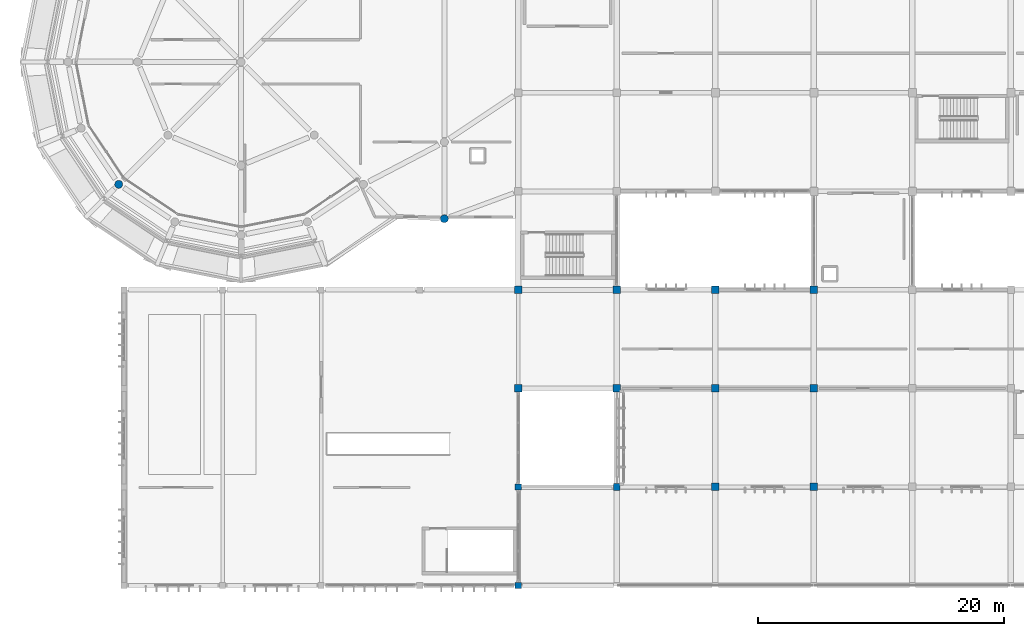
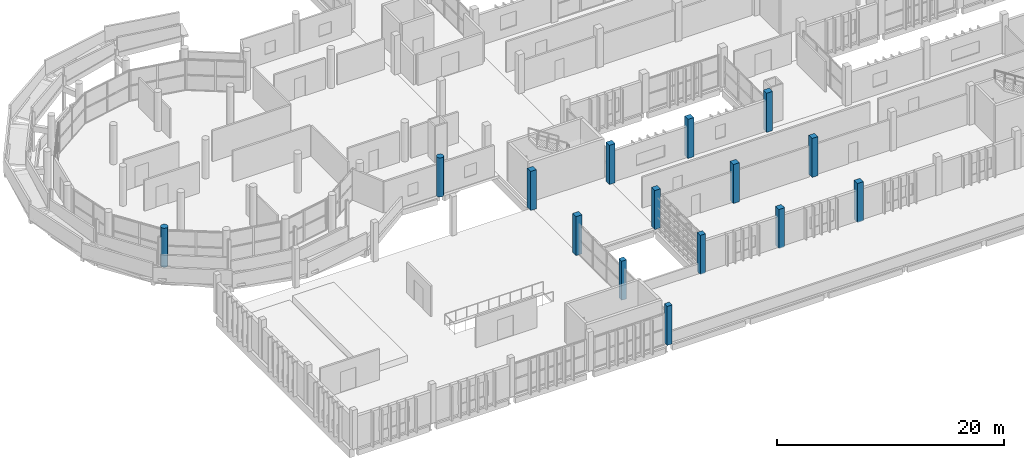
# One storey, part 3 of 137: 15 columns.
"""IFC4 building model written with IfcOpenShell, lengths in metres."""

from ifc_helpers import new_model, si_unit, direction, frame, origin, origin_2d, place, context, subcontext, project, spatial, rectangle, circle, extrude, material, material_profile, profile_set, type_object, element, save


model = new_model("IFC4")

# Units and contexts
model_context = context("Model", 3, precision=1e-05, world=origin(), true_north=direction((0.0, 1.0)))
body_context = subcontext(model_context, "Body", "Model", "MODEL_VIEW")
ifc_project = project(units=[si_unit("LENGTHUNIT", "METRE"), si_unit("AREAUNIT", "SQUARE_METRE"), si_unit("VOLUMEUNIT", "CUBIC_METRE"), si_unit("PLANEANGLEUNIT", "RADIAN"), si_unit("MASSUNIT", "GRAM", prefix="KILO")], contexts=[model_context])

# Site, building, storey
site_placement = place(None, origin())
site = spatial("IfcSite", under=ifc_project, at=site_placement, CompositionType="ELEMENT")
building_placement = place(site_placement, origin())
building = spatial("IfcBuilding", under=site, at=building_placement, Name="Jelvoka-Kovrelna Polytechnic", CompositionType="ELEMENT")
storey_placement = place(building_placement, frame((0.0, 0.0, 9.60009765625)))
storey = spatial("IfcBuildingStorey", under=building, at=storey_placement, Name="L03", CompositionType="ELEMENT", Elevation=9.60009765625)

# Columns
ifc_material_1 = material(Name="Concrete C40/50", Category="concrete")
ifc_material_profile_1 = material_profile(ifc_material_1, rectangle(XDim=0.5, YDim=0.5, at=origin_2d()), Name="RC 500x500")
ifc_profile_set_1 = profile_set([ifc_material_profile_1], Name="Concrete C40/50")
column_type_1 = type_object("IfcColumnType", Name="Col_RC_500", PredefinedType="COLUMN", material=ifc_profile_set_1)
for number, where, z_axis, x_axis, name in (
    (1, (48.0, 0.0, 0.0), (0.0, 0.0, 1.0), (0.0, 1.0, 0.0), "L03 column 0020"),
    (2, (48.0, 8.0, 0.0), (0.0, 0.0, 1.0), (0.0, 1.0, 0.0), "L03 column 0091"),
):
    element("IfcColumn", number, at=place(storey_placement, frame(where, z_axis=z_axis, x_axis=x_axis)), inside=storey, type_object=column_type_1, Name=name, PredefinedType="COLUMN", context=body_context, shape_type="SweptSolid", body=[
        extrude(rectangle(XDim=0.5, YDim=0.5, at=origin_2d()), origin(), (0.0, 0.0, 1.0), 4.199951171875),
    ])
ifc_material_2 = material(Name="Concrete C40/50", Category="concrete")
ifc_material_profile_2 = material_profile(ifc_material_2, rectangle(XDim=0.550048828125, YDim=0.550048828125, at=origin_2d()), Name="RC 550x550")
ifc_profile_set_2 = profile_set([ifc_material_profile_2], Name="Concrete C40/50")
column_type_2 = type_object("IfcColumnType", Name="Col_RC_550", PredefinedType="COLUMN", material=ifc_profile_set_2)
column_placement = place(storey_placement, frame((56.0, 8.0, 0.0), z_axis=(0.0, 0.0, 1.0), x_axis=(1.0, 0.0, 0.0)))
element("IfcColumn", 3, at=column_placement, inside=storey, type_object=column_type_2, Name="L03 column 0095", PredefinedType="COLUMN", context=body_context, shape_type="SweptSolid", body=[
    extrude(rectangle(XDim=0.550048828125, YDim=0.550048828125, at=origin_2d()), origin(), (0.0, 0.0, 1.0), 4.199951171875),
])
ifc_material_3 = material(Name="Concrete C40/50", Category="concrete")
ifc_material_profile_3 = material_profile(ifc_material_3, rectangle(XDim=0.60009765625, YDim=0.60009765625, at=origin_2d()), Name="RC 600x600")
ifc_profile_set_3 = profile_set([ifc_material_profile_3], Name="Concrete C40/50")
column_type_3 = type_object("IfcColumnType", Name="Col_RC_600", PredefinedType="COLUMN", material=ifc_profile_set_3)
for number, where, z_axis, x_axis, name in (
    (4, (64.0, 8.0, 0.0), (0.0, 0.0, 1.0), (1.0, 0.0, 0.0), "L03 column 0100"),
    (5, (72.0, 8.0, 0.0), (0.0, 0.0, 1.0), (1.0, 0.0, 0.0), "L03 column 0106"),
    (6, (48.0, 16.0, 0.0), (0.0, 0.0, 1.0), (1.0, 0.0, 0.0), "L03 column 0189"),
    (7, (56.0, 16.0, 0.0), (0.0, 0.0, 1.0), (1.0, 0.0, 0.0), "L03 column 0195"),
    (8, (64.0, 16.0, 0.0), (0.0, 0.0, 1.0), (1.0, 0.0, 0.0), "L03 column 0201"),
    (9, (72.0, 16.0, 0.0), (0.0, 0.0, 1.0), (1.0, 0.0, 0.0), "L03 column 0207"),
    (10, (48.0, 24.0, 0.0), (0.0, 0.0, 1.0), (1.0, 0.0, 0.0), "L03 column 0314"),
    (11, (56.0, 24.0, 0.0), (0.0, 0.0, 1.0), (1.0, 0.0, 0.0), "L03 column 0320"),
    (12, (64.0, 24.0, 0.0), (0.0, 0.0, 1.0), (1.0, 0.0, 0.0), "L03 column 0326"),
    (13, (72.0, 24.0, 0.0), (0.0, 0.0, 1.0), (1.0, 0.0, 0.0), "L03 column 0332"),
):
    element("IfcColumn", number, at=place(storey_placement, frame(where, z_axis=z_axis, x_axis=x_axis)), inside=storey, type_object=column_type_3, Name=name, PredefinedType="COLUMN", context=body_context, shape_type="SweptSolid", body=[
        extrude(rectangle(XDim=0.60009765625, YDim=0.60009765625, at=origin_2d()), origin(), (0.0, 0.0, 1.0), 4.199951171875),
    ])
ifc_material_4 = material(Name="Concrete C40/50", Category="concrete")
ifc_material_profile_4 = material_profile(ifc_material_4, circle(Radius=0.324951171875, at=origin_2d()), Name="RC D650")
ifc_profile_set_4 = profile_set([ifc_material_profile_4], Name="Concrete C40/50")
column_type_4 = type_object("IfcColumnType", Name="Col_RC_D650", PredefinedType="COLUMN", material=ifc_profile_set_4)
for number, where, z_axis, x_axis, name in (
    (14, (42.0, 29.772216796875, 0.0), (0.0, 0.0, 1.0), (1.0, 0.0, 0.0), "L03 column 0429"),
    (15, (15.565185546875, 32.565185546875, 0.0), (0.0, 0.0, 1.0), (1.0, 0.0, 0.0), "L03 column 0575"),
):
    element("IfcColumn", number, at=place(storey_placement, frame(where, z_axis=z_axis, x_axis=x_axis)), inside=storey, type_object=column_type_4, Name=name, PredefinedType="COLUMN", context=body_context, shape_type="SweptSolid", body=[
        extrude(circle(Radius=0.324951171875, at=origin_2d()), origin(), (0.0, 0.0, 1.0), 4.199951171875),
    ])

save(model, "model.ifc")
